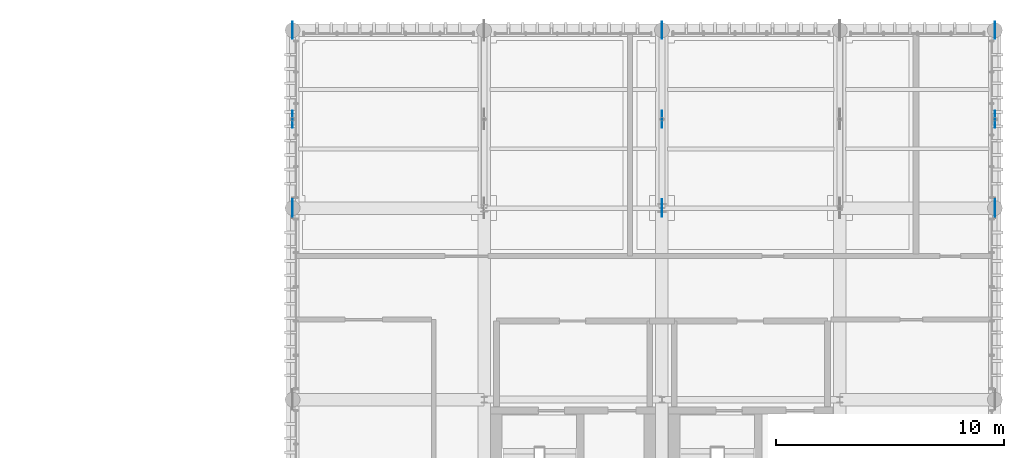
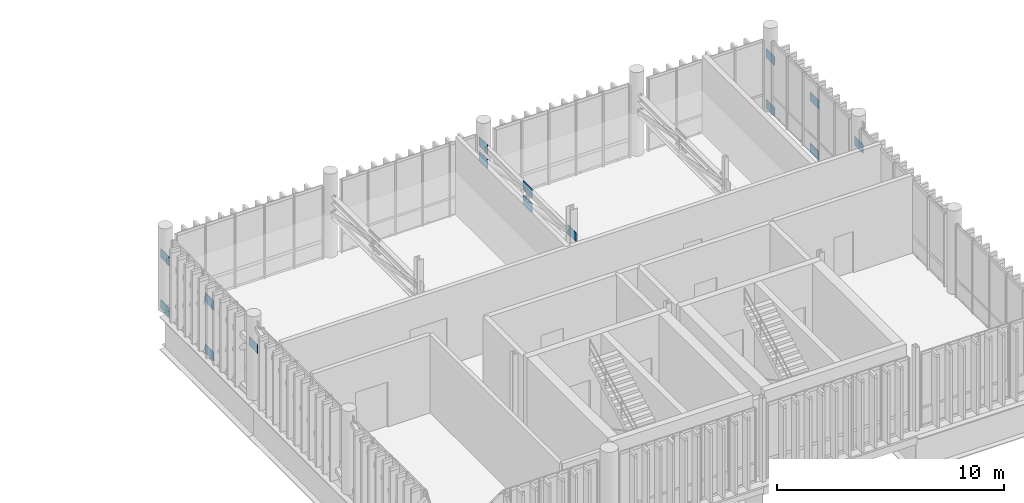
# One storey, part 47 of 53: 15 plates.
"""IFC4 building model written with IfcOpenShell, lengths in metres."""

from ifc_helpers import new_model, si_unit, direction, frame, origin_with_axes, origin_2d_with_axis, place, context, subcontext, project, spatial, rectangle, extrude, material, layer, layer_set, type_object, element, save


model = new_model("IFC4")

# Units and contexts
model_context = context("Model", 3, precision=1e-05, world=origin_with_axes(), true_north=direction((0.0, 1.0)))
body_context = subcontext(model_context, "Body", "Model", "MODEL_VIEW")
ifc_project = project(units=[si_unit("LENGTHUNIT", "METRE"), si_unit("AREAUNIT", "SQUARE_METRE"), si_unit("VOLUMEUNIT", "CUBIC_METRE"), si_unit("PLANEANGLEUNIT", "RADIAN"), si_unit("MASSUNIT", "GRAM", prefix="KILO"), si_unit("THERMODYNAMICTEMPERATUREUNIT", "KELVIN")], contexts=[model_context])

# Site, building, storey
site_placement = place(None, origin_with_axes())
site = spatial("IfcSite", under=ifc_project, at=site_placement, CompositionType="ELEMENT")
building_placement = place(site_placement, origin_with_axes())
building = spatial("IfcBuilding", under=site, at=building_placement, Name="Montbau Bow Law Courts", CompositionType="ELEMENT")
storey_placement = place(building_placement, frame((0.0, 0.0, 39.0), z_axis=(0.0, 0.0, 1.0), x_axis=(1.0, 0.0, 0.0)))
storey = spatial("IfcBuildingStorey", under=building, at=storey_placement, Name="L08", CompositionType="ELEMENT", Elevation=39.0)

# Plates
ifc_material = material(Name="Steel CSA G40.21 Grade 350W (350 MPa)", Category="steel")
ifc_layer = layer(ifc_material, 0.025, Name="Gusset Plate", Category="steel")
ifc_layer_set = layer_set([ifc_layer], Name="Steel CSA G40.21 Grade 350W (350 MPa)")
plate_type = type_object("IfcPlateType", Name="PL-GUS-02", PredefinedType="USERDEFINED", material=ifc_layer_set)
for number, where, z_axis, x_axis, name in (
    (1, (138.6, 103.2, 41.51), (0.0, 0.0, 1.0), (0.0, 1.0, 0.0), "BGP-L08-071:plt_0102"),
    (2, (138.6, 107.1, 38.76), (0.0, 0.0, 1.0), (0.0, 1.0, 0.0), "BGP-L08-072:plt_0103"),
    (3, (138.6, 107.1, 41.51), (0.0, 0.0, 1.0), (0.0, 1.0, 0.0), "BGP-L08-073:plt_0104"),
    (4, (138.6, 111.0, 38.76), (0.0, 0.0, 1.0), (0.0, 1.0, 0.0), "BGP-L08-074:plt_0105"),
    (5, (138.6, 111.0, 41.51), (0.0, 0.0, 1.0), (0.0, 1.0, 0.0), "BGP-L08-075:plt_0106"),
    (6, (154.8, 103.2, 41.86), (0.0, 0.0, 1.0), (0.0, 1.0, 0.0), "BGP-L08-081:plt_0112"),
    (7, (154.8, 107.1, 41.08), (0.0, 0.0, 1.0), (0.0, 1.0, 0.0), "BGP-L08-082:plt_0113"),
    (8, (154.8, 107.1, 41.86), (0.0, 0.0, 1.0), (0.0, 1.0, 0.0), "BGP-L08-083:plt_0114"),
    (9, (154.8, 111.0, 41.08), (0.0, 0.0, 1.0), (0.0, 1.0, 0.0), "BGP-L08-084:plt_0115"),
    (10, (154.8, 111.0, 41.86), (0.0, 0.0, 1.0), (0.0, 1.0, 0.0), "BGP-L08-085:plt_0116"),
    (11, (169.4, 103.2, 41.51), (0.0, 0.0, 1.0), (0.0, 1.0, 0.0), "BGP-L08-091:plt_0122"),
    (12, (169.4, 107.1, 38.76), (0.0, 0.0, 1.0), (0.0, 1.0, 0.0), "BGP-L08-092:plt_0123"),
    (13, (169.4, 107.1, 41.51), (0.0, 0.0, 1.0), (0.0, 1.0, 0.0), "BGP-L08-093:plt_0124"),
    (14, (169.4, 111.0, 38.76), (0.0, 0.0, 1.0), (0.0, 1.0, 0.0), "BGP-L08-094:plt_0125"),
    (15, (169.4, 111.0, 41.51), (0.0, 0.0, 1.0), (0.0, 1.0, 0.0), "BGP-L08-095:plt_0126"),
):
    element("IfcPlate", number, at=place(None, frame(where, z_axis=z_axis, x_axis=x_axis)), inside=storey, type_object=plate_type, Name=name, ObjectType="GUSSET_PLATE", PredefinedType="USERDEFINED", context=body_context, shape_type="SweptSolid", body=[
        extrude(rectangle(XDim=0.76, YDim=0.025, at=origin_2d_with_axis()), origin_with_axes(), (0.0, 0.0, 1.0), 0.48),
    ])

save(model, "model.ifc")
